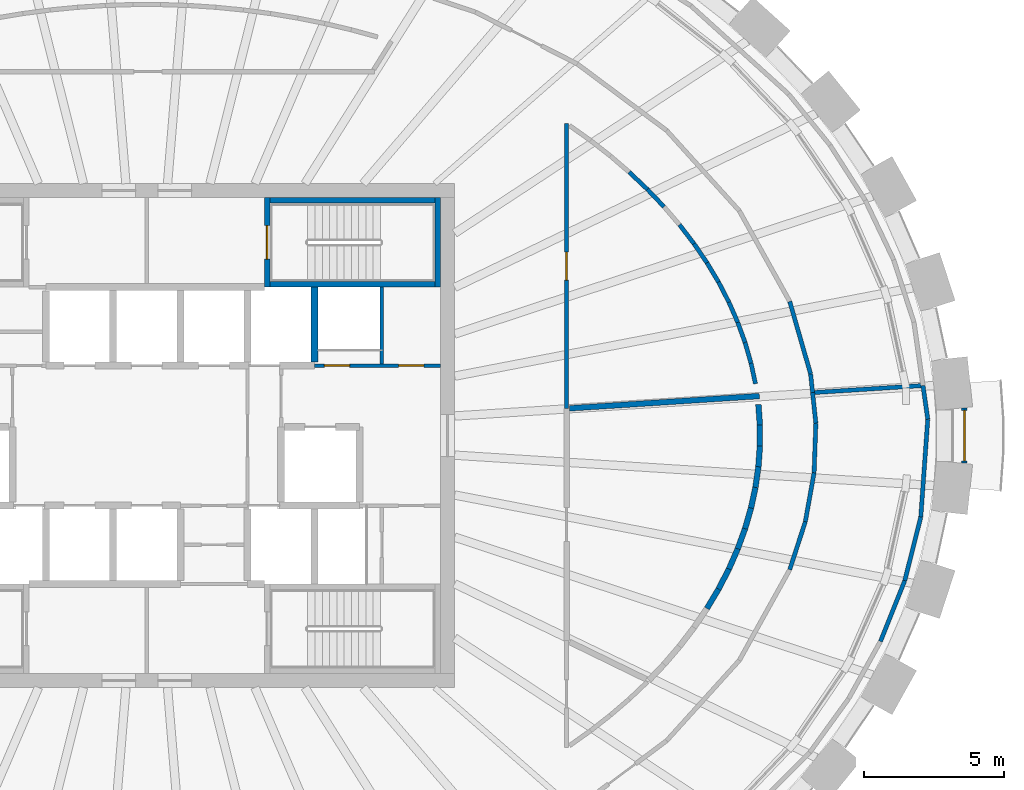
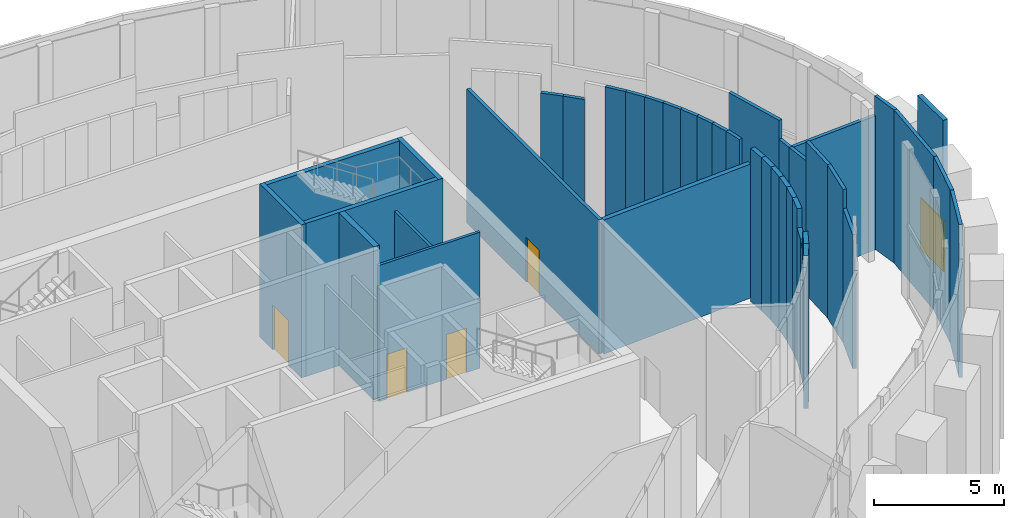
# One storey, part 12 of 16: 41 walls, 5 doors, 5 openings.
"""IFC4 building model written with IfcOpenShell, lengths in metres."""

import ifcopenshell
import ifcopenshell.guid

model = None  # the IFC model being written
_history = None  # IfcOwnerHistory: only IFC2X3 demands one
_inside = {}  # id of a spatial element -> (the spatial element, [elements in it])
_under = {}  # id of a project, library or spatial element -> (it, [spatial elements below it])
_declared = {}  # id of a project -> (the project, [libraries it declares])
_typed = {}  # id of a type object -> (the type object, [elements of that type])
_made_of = {}  # id of a material, layer set ... -> (it, [elements and type objects made of it])


def new_model(schema):
    """Start an empty IFC model of exactly this schema.

    Asked for "IFC4X3", IfcOpenShell would pick the latest addendum, in which some entities
    have other attributes; the version numbers below select the first issue.
    IFC2X3 requires an IfcOwnerHistory on every rooted entity: one is made here for all.
    """
    global model, _history
    if schema == "IFC4X3":
        model = ifcopenshell.file(schema_version=(4, 3, 0, 0))
    else:
        model = ifcopenshell.file(schema=schema)
    _inside.clear()
    _under.clear()
    _declared.clear()
    _typed.clear()
    _made_of.clear()
    _history = None
    if model.schema == "IFC2X3":
        org = make("IfcOrganization", Name="unknown")
        user = make(
            "IfcPersonAndOrganization",
            ThePerson=make("IfcPerson", FamilyName="unknown"),
            TheOrganization=org,
        )
        app = make(
            "IfcApplication",
            ApplicationDeveloper=org,
            Version="unknown",
            ApplicationFullName="unknown",
            ApplicationIdentifier="unknown",
        )
        _history = make(
            "IfcOwnerHistory",
            OwningUser=user,
            OwningApplication=app,
            ChangeAction="ADDED",
            CreationDate=0,
        )
    return model


def make(cls, **values):
    """One entity of the class cls with the attributes given. An attribute that is None is left unset."""
    return model.create_entity(
        cls, **{name: value for name, value in values.items() if value is not None}
    )


def rooted(cls, **values):
    """An entity with a GlobalId (a new one), such as an element, a storey or a relation."""
    return make(cls, GlobalId=ifcopenshell.guid.new(), OwnerHistory=_history, **values)


def si_unit(unit_type, name, prefix=None):
    """IfcSIUnit, for example si_unit("LENGTHUNIT", "METRE", prefix="MILLI")."""
    return make("IfcSIUnit", UnitType=unit_type, Prefix=prefix, Name=name)


def assignment(units):
    """IfcUnitAssignment: the units of a project."""
    return None if units is None else make("IfcUnitAssignment", Units=units)


def point(xyz):
    """IfcCartesianPoint."""
    return None if xyz is None else make("IfcCartesianPoint", Coordinates=xyz)


def direction(xyz):
    """IfcDirection."""
    return None if xyz is None else make("IfcDirection", DirectionRatios=xyz)


def frame(location, z_axis=None, x_axis=None):
    """IfcAxis2Placement3D, a coordinate frame: its origin and axes. An axis left out is left unset."""
    return make(
        "IfcAxis2Placement3D",
        Location=point(location),
        Axis=direction(z_axis),
        RefDirection=direction(x_axis),
    )


def frame_2d(location, x_axis=None):
    """IfcAxis2Placement2D, a coordinate frame in the plane: its origin and x axis."""
    return make(
        "IfcAxis2Placement2D", Location=point(location), RefDirection=direction(x_axis)
    )


def origin():
    """The frame at (0, 0, 0) with its axes left unset."""
    return frame((0.0, 0.0, 0.0))


def place(relative_to, where):
    """IfcLocalPlacement: puts the frame where relative to a parent placement (None: the world)."""
    return make(
        "IfcLocalPlacement", PlacementRelTo=relative_to, RelativePlacement=where
    )


def context(
    kind, dimensions, precision=None, world=None, true_north=None, identifier=None
):
    """IfcGeometricRepresentationContext, for example the 3D "Model" context."""
    return make(
        "IfcGeometricRepresentationContext",
        ContextIdentifier=identifier,
        ContextType=kind,
        CoordinateSpaceDimension=dimensions,
        Precision=precision,
        WorldCoordinateSystem=world,
        TrueNorth=true_north,
    )


def subcontext(parent, identifier, kind, view, scale=None):
    """IfcGeometricRepresentationSubContext, for example "Body" below "Model"."""
    return make(
        "IfcGeometricRepresentationSubContext",
        ContextIdentifier=identifier,
        ContextType=kind,
        ParentContext=parent,
        TargetScale=scale,
        TargetView=view,
    )


def project(units=None, contexts=None):
    """IfcProject with its units and contexts."""
    return rooted(
        "IfcProject",
        Name="project",
        RepresentationContexts=contexts,
        UnitsInContext=assignment(units),
    )


def spatial(cls, under=None, at=None, **own):
    """A site, building, storey or space (cls), placed at a placement, below another one or the project."""
    s = rooted(cls, ObjectPlacement=at, **own)
    if under is not None:
        _under.setdefault(under.id(), (under, []))[1].append(s)
    return s


def profile(cls, at=None, kind="AREA", **sizes):
    """A parametric profile (cls). Its sizes go by their IFC names, for example OverallWidth=200.0."""
    return make(cls, ProfileType=kind, Position=at, **sizes)


def rectangle(**sizes):
    """IfcRectangleProfileDef."""
    return profile("IfcRectangleProfileDef", **sizes)


def extrude(swept, where, along, depth):
    """IfcExtrudedAreaSolid: the profile swept, set in the frame where, extruded along a direction by depth."""
    return make(
        "IfcExtrudedAreaSolid",
        SweptArea=swept,
        Position=where,
        ExtrudedDirection=direction(along),
        Depth=depth,
    )


def shape(context_of_items, identifier, shape_type, items):
    """IfcShapeRepresentation: the items that make up one representation, for example the "Body"."""
    return make(
        "IfcShapeRepresentation",
        ContextOfItems=context_of_items,
        RepresentationIdentifier=identifier,
        RepresentationType=shape_type,
        Items=items,
    )


def source(mapping_origin, context_of_items, identifier, shape_type, items):
    """IfcRepresentationMap: a shape defined once, which mapped items show again and again."""
    return make(
        "IfcRepresentationMap",
        MappingOrigin=mapping_origin,
        MappedRepresentation=shape(context_of_items, identifier, shape_type, items),
    )


def transform(
    local_origin,
    x_axis=None,
    y_axis=None,
    z_axis=None,
    scale=None,
    scale2=None,
    scale3=None,
    uniform=True,
):
    """IfcCartesianTransformationOperator3D, or its non-uniform kind. x_axis, y_axis, z_axis: its Axis1, 2, 3."""
    if uniform:
        return make(
            "IfcCartesianTransformationOperator3D",
            Axis1=direction(x_axis),
            Axis2=direction(y_axis),
            LocalOrigin=point(local_origin),
            Scale=scale,
            Axis3=direction(z_axis),
        )
    return make(
        "IfcCartesianTransformationOperator3DnonUniform",
        Axis1=direction(x_axis),
        Axis2=direction(y_axis),
        LocalOrigin=point(local_origin),
        Scale=scale,
        Axis3=direction(z_axis),
        Scale2=scale2,
        Scale3=scale3,
    )


def mapped(mapping_source, mapping_target):
    """IfcMappedItem: shows the shape of a source again, moved by a transform."""
    return make(
        "IfcMappedItem", MappingSource=mapping_source, MappingTarget=mapping_target
    )


def material(Name=None, Category=None):
    """IfcMaterial."""
    return make("IfcMaterial", Name=Name, Category=Category)


def layer(
    of_material, thickness, ventilated=None, Name=None, Category=None, Priority=None
):
    """IfcMaterialLayer: one layer of a wall or slab, of a material (None: an air gap)."""
    return make(
        "IfcMaterialLayer",
        Material=of_material,
        LayerThickness=thickness,
        IsVentilated=ventilated,
        Name=Name,
        Category=Category,
        Priority=Priority,
    )


def layer_set(layers, Name=None):
    """IfcMaterialLayerSet."""
    return make("IfcMaterialLayerSet", MaterialLayers=layers, LayerSetName=Name)


def made_of(thing, what):
    """Note that an element or type object is made of a material, layer set ...; save() writes the relation."""
    if what is not None:
        _made_of.setdefault(what.id(), (what, []))[1].append(thing)
    return thing


def type_object(cls, material=None, **own):
    """A type object (cls), such as IfcWallType, which elements share."""
    return made_of(rooted(cls, **own), material)


def element(
    cls,
    number,
    at=None,
    inside=None,
    cuts=None,
    type_object=None,
    material=None,
    context=None,
    identifier="Body",
    shape_type=None,
    held_by="IfcProductDefinitionShape",
    body=None,
    shapes=None,
    **own,
):
    """One element of the class cls, such as IfcWall. Its Tag is "e" and its number.

    at: its placement. inside: the storey or other place that contains it. cuts: it is an
    opening in that element (IfcRelVoidsElement). A single representation is given by context,
    identifier, shape_type and body (its items); several are given by shapes. held_by: the class
    of the entity that holds the representations. save() writes the other relations.
    """
    e = rooted(cls, Tag="e%d" % number, ObjectPlacement=at, **own)
    if body is not None:
        shapes = [shape(context, identifier, shape_type, body)]
    if shapes is not None:
        e.Representation = make(held_by, Representations=shapes)
    if inside is not None:
        _inside.setdefault(inside.id(), (inside, []))[1].append(e)
    if cuts is not None:
        rooted(
            "IfcRelVoidsElement", RelatingBuildingElement=cuts, RelatedOpeningElement=e
        )
    if type_object is not None:
        _typed.setdefault(type_object.id(), (type_object, []))[1].append(e)
    return made_of(e, material)


def fill(opening, filler):
    """IfcRelFillsElement: the door or window that sits in an opening."""
    return rooted(
        "IfcRelFillsElement",
        RelatingOpeningElement=opening,
        RelatedBuildingElement=filler,
    )


def aggregate(whole, parts):
    """IfcRelAggregates: a whole, such as a stair, and the parts it consists of."""
    return rooted("IfcRelAggregates", RelatingObject=whole, RelatedObjects=parts)


def save(model, path):
    """Write the relations noted so far, then the file.

    IfcRelAggregates (storeys below a building ...), IfcRelContainedInSpatialStructure (elements
    in a storey), IfcRelDefinesByType, IfcRelAssociatesMaterial and IfcRelDeclares: one each for
    every whole, place, type object, material and project.
    """
    for whole, parts in _under.values():
        aggregate(whole, parts)
    for where, things in _inside.values():
        rooted(
            "IfcRelContainedInSpatialStructure",
            RelatedElements=things,
            RelatingStructure=where,
        )
    for kind, things in _typed.values():
        rooted("IfcRelDefinesByType", RelatedObjects=things, RelatingType=kind)
    for what, things in _made_of.values():
        rooted("IfcRelAssociatesMaterial", RelatedObjects=things, RelatingMaterial=what)
    for by, libraries in _declared.values():
        rooted("IfcRelDeclares", RelatingContext=by, RelatedDefinitions=libraries)
    model.write(path)


model = new_model("IFC4")

# Units and contexts
model_context = context("Model", 3, precision=1e-05, world=origin(), true_north=direction((0.0, 1.0)))
body_context = subcontext(model_context, "Body", "Model", "MODEL_VIEW")
ifc_project = project(units=[si_unit("LENGTHUNIT", "METRE"), si_unit("AREAUNIT", "SQUARE_METRE"), si_unit("VOLUMEUNIT", "CUBIC_METRE"), si_unit("PLANEANGLEUNIT", "RADIAN"), si_unit("MASSUNIT", "GRAM", prefix="KILO")], contexts=[model_context])

# Site, building, storey
site_placement = place(None, origin())
site = spatial("IfcSite", under=ifc_project, at=site_placement, CompositionType="ELEMENT")
building_placement = place(site_placement, origin())
building = spatial("IfcBuilding", under=site, at=building_placement, Name="Embergate Tower", CompositionType="ELEMENT")
storey_placement = place(building_placement, frame((0.0, 0.0, 332.5)))
storey = spatial("IfcBuildingStorey", under=building, at=storey_placement, Name="L78", CompositionType="ELEMENT", Elevation=332.5)

# Walls
ifc_material_1 = material(Name="Concrete C50", Category="concrete")
ifc_layer_1 = layer(ifc_material_1, 0.199951171875)
ifc_layer_set_1 = layer_set([ifc_layer_1], Name="Concrete C50")
wall_type_1 = type_object("IfcWallType", Name="Stair enclosure wall reinforced concrete 250", PredefinedType="SHEAR", material=ifc_layer_set_1)
shared_shape_1 = source(origin(), body_context, "Body", "SweptSolid", [
    extrude(rectangle(XDim=6.298095703125, YDim=0.199951171875, at=frame_2d((3.14892578125, 0.0))), origin(), (0.0, 0.0, 1.0), 7.199951171875),
])
wall_1_placement = place(storey_placement, frame((10.5, 8.39990234375, 0.0), z_axis=(0.0, 0.0, 1.0), x_axis=(-1.0, 0.0, 0.0)))
element("IfcWall", 1, at=wall_1_placement, inside=storey, type_object=wall_type_1, Name="SE-1 wall", PredefinedType="SHEAR", context=body_context, shape_type="MappedRepresentation", body=[
    mapped(shared_shape_1, transform((0.0, 0.0, 0.0))),
])
ifc_material_2 = material(Name="Core partition blockwork 120")
ifc_layer_2 = layer(ifc_material_2, 0.1201171875)
ifc_layer_set_2 = layer_set([ifc_layer_2], Name="Core partition blockwork 120")
wall_type_2 = type_object("IfcWallType", Name="Core partition blockwork 120", PredefinedType="PARTITIONING", material=ifc_layer_set_2)
shared_shape_2 = source(origin(), body_context, "Body", "SweptSolid", [
    extrude(rectangle(XDim=2.739990234375, YDim=0.1201171875, at=frame_2d((1.3701171875, 0.0))), origin(), (0.0, 0.0, 1.0), 6.39990234375),
])
wall_2_placement = place(storey_placement, frame((8.39990234375, 2.56005859375, 0.0), z_axis=(0.0, 0.0, 1.0), x_axis=(0.0, 1.0, 0.0)))
element("IfcWall", 2, at=wall_2_placement, inside=storey, type_object=wall_type_2, Name="IP-3 wall", PredefinedType="PARTITIONING", context=body_context, shape_type="MappedRepresentation", body=[
    mapped(shared_shape_2, transform((0.0, 0.0, 0.0))),
])
ifc_layer_3 = layer(ifc_material_1, 0.25)
ifc_layer_set_3 = layer_set([ifc_layer_3], Name="Concrete C50")
wall_type_3 = type_object("IfcWallType", Name="Hoistway wall reinforced concrete 250", PredefinedType="SHEAR", material=ifc_layer_set_3)
shared_shape_3 = source(origin(), body_context, "Body", "SweptSolid", [
    extrude(rectangle(XDim=2.675048828125, YDim=0.25, at=frame_2d((1.33740234375, 0.0))), origin(), (0.0, 0.0, 1.0), 7.199951171875),
])
wall_3_placement = place(storey_placement, frame((6.0, 2.625, 0.0), z_axis=(0.0, 0.0, 1.0), x_axis=(0.0, 1.0, 0.0)))
element("IfcWall", 3, at=wall_3_placement, inside=storey, type_object=wall_type_3, Name="HW-1 wall", PredefinedType="SHEAR", context=body_context, shape_type="MappedRepresentation", body=[
    mapped(shared_shape_3, transform((0.0, 0.0, 0.0))),
])
shared_shape_4 = source(origin(), body_context, "Body", "SweptSolid", [
    extrude(rectangle(XDim=6.300048828125, YDim=0.199951171875, at=frame_2d((3.14990234375, 0.0))), origin(), (0.0, 0.0, 1.0), 7.199951171875),
])
wall_4_placement = place(storey_placement, frame((10.5, 5.39990234375, 0.0), z_axis=(0.0, 0.0, 1.0), x_axis=(-1.0, 0.0, 0.0)))
element("IfcWall", 4, at=wall_4_placement, inside=storey, type_object=wall_type_1, Name="SE-1 wall", PredefinedType="SHEAR", context=body_context, shape_type="MappedRepresentation", body=[
    mapped(shared_shape_4, transform((0.0, 0.0, 0.0))),
])

# Wall, openings, doors
shared_shape_5 = source(origin(), body_context, "Body", "SweptSolid", [
    extrude(rectangle(XDim=4.5, YDim=0.1201171875, at=frame_2d((2.25, 0.0))), origin(), (0.0, 0.0, 1.0), 6.39990234375),
])
wall_5_placement = place(storey_placement, frame((6.0, 2.5, 0.0), z_axis=(0.0, 0.0, 1.0), x_axis=(1.0, 0.0, 0.0)))
wall_5 = element("IfcWall", 5, at=wall_5_placement, inside=storey, type_object=wall_type_2, Name="IP-3 wall", PredefinedType="PARTITIONING", context=body_context, shape_type="MappedRepresentation", body=[
    mapped(shared_shape_5, transform((0.0, 0.0, 0.0))),
])
shared_shape_6 = source(origin(), body_context, "Body", "SweptSolid", [
    extrude(rectangle(XDim=0.89990234375, YDim=2.10009765625, at=frame_2d((0.449951171875, 1.050048828125))), frame((0.0, 0.070068359375, 0.0), z_axis=(0.0, -1.0, 0.0), x_axis=(1.0, 0.0, 0.0)), (0.0, 0.0, 1.0), 0.14013671875),
])
opening_1_placement = place(wall_5_placement, frame((0.35009765625, 0.0, 0.0)))
opening_1 = element("IfcOpeningElement", 6, at=opening_1_placement, cuts=wall_5, Name="Opening ID-1", PredefinedType="OPENING", context=body_context, shape_type="MappedRepresentation", body=[
    mapped(shared_shape_6, transform((0.0, 0.0, 0.0))),
])
opening_2_placement = place(wall_5_placement, frame((3.0, 0.0, 0.0)))
opening_2 = element("IfcOpeningElement", 7, at=opening_2_placement, cuts=wall_5, Name="Opening ID-1", PredefinedType="OPENING", context=body_context, shape_type="MappedRepresentation", body=[
    mapped(shared_shape_6, transform((0.0, 0.0, 0.0))),
])
ifc_material_3 = material(Name="Interior door 900")
door_type_1 = type_object("IfcDoorType", Name="Interior door 900", OperationType="SINGLE_SWING_LEFT", PredefinedType="DOOR", material=ifc_material_3)
shared_shape_7 = source(origin(), body_context, "Body", "SweptSolid", [
    extrude(rectangle(XDim=0.89990234375, YDim=2.10009765625, at=frame_2d((0.449951171875, 1.050048828125))), frame((0.0, 0.02490234375, 0.0), z_axis=(0.0, -1.0, 0.0), x_axis=(1.0, 0.0, 0.0)), (0.0, 0.0, 1.0), 0.050048828125),
])
door_1_placement = place(opening_1_placement, origin())
door_1 = element("IfcDoor", 8, at=door_1_placement, inside=storey, type_object=door_type_1, Name="ID-1 door", OperationType="SINGLE_SWING_LEFT", OverallHeight=2.10009765625, OverallWidth=0.89990234375, PredefinedType="DOOR", context=body_context, shape_type="MappedRepresentation", body=[
    mapped(shared_shape_7, transform((0.0, 0.0, 0.0))),
])
fill(opening_1, door_1)
door_2_placement = place(opening_2_placement, origin())
door_2 = element("IfcDoor", 9, at=door_2_placement, inside=storey, type_object=door_type_1, Name="ID-1 door", OperationType="SINGLE_SWING_RIGHT", OverallHeight=2.10009765625, OverallWidth=0.89990234375, PredefinedType="DOOR", context=body_context, shape_type="MappedRepresentation", body=[
    mapped(shared_shape_7, transform((0.0, 0.0, 0.0))),
])
fill(opening_2, door_2)

# Wall, opening, door
shared_shape_8 = source(origin(), body_context, "Body", "SweptSolid", [
    extrude(rectangle(XDim=3.199951171875, YDim=0.199951171875, at=frame_2d((1.60009765625, 0.0))), origin(), (0.0, 0.0, 1.0), 7.199951171875),
])
wall_6_placement = place(storey_placement, frame((4.300048828125, 8.5, 0.0), z_axis=(0.0, 0.0, 1.0), x_axis=(0.0, -1.0, 0.0)))
wall_6 = element("IfcWall", 10, at=wall_6_placement, inside=storey, type_object=wall_type_1, Name="SE-1 wall", PredefinedType="SHEAR", context=body_context, shape_type="MappedRepresentation", body=[
    mapped(shared_shape_8, transform((0.0, 0.0, 0.0))),
])
shared_shape_9 = source(origin(), body_context, "Body", "SweptSolid", [
    extrude(rectangle(XDim=1.199951171875, YDim=2.10009765625, at=frame_2d((0.60009765625, 1.050048828125))), frame((0.0, 0.10986328125, 0.0), z_axis=(0.0, -1.0, 0.0), x_axis=(1.0, 0.0, 0.0)), (0.0, 0.0, 1.0), 0.219970703125),
])
opening_3_placement = place(wall_6_placement, frame((1.0, 0.0, 0.0)))
opening_3 = element("IfcOpeningElement", 11, at=opening_3_placement, cuts=wall_6, Name="Opening IF-2", PredefinedType="OPENING", context=body_context, shape_type="MappedRepresentation", body=[
    mapped(shared_shape_9, transform((0.0, 0.0, 0.0))),
])
ifc_material_4 = material(Name="Stair enclosure door 1200")
door_type_2 = type_object("IfcDoorType", Name="Stair enclosure door 1200", OperationType="SINGLE_SWING_LEFT", PredefinedType="DOOR", material=ifc_material_4)
shared_shape_10 = source(origin(), body_context, "Body", "SweptSolid", [
    extrude(rectangle(XDim=1.199951171875, YDim=2.10009765625, at=frame_2d((0.60009765625, 1.050048828125))), frame((0.0, 0.02490234375, 0.0), z_axis=(0.0, -1.0, 0.0), x_axis=(1.0, 0.0, 0.0)), (0.0, 0.0, 1.0), 0.050048828125),
])
door_3_placement = place(opening_3_placement, origin())
door_3 = element("IfcDoor", 12, at=door_3_placement, inside=storey, type_object=door_type_2, Name="IF-2 door", OperationType="SINGLE_SWING_LEFT", OverallHeight=2.10009765625, OverallWidth=1.199951171875, PredefinedType="DOOR", context=body_context, shape_type="MappedRepresentation", body=[
    mapped(shared_shape_10, transform((0.0, 0.0, 0.0))),
])
fill(opening_3, door_3)

# Walls
shared_shape_11 = source(origin(), body_context, "Body", "SweptSolid", [
    extrude(rectangle(XDim=3.197998046875, YDim=0.199951171875, at=frame_2d((1.59912109375, 0.0))), origin(), (0.0, 0.0, 1.0), 7.199951171875),
])
wall_7_placement = place(storey_placement, frame((10.39990234375, 5.302001953125, 0.0), z_axis=(0.0, 0.0, 1.0), x_axis=(0.0, 1.0, 0.0)))
element("IfcWall", 13, at=wall_7_placement, inside=storey, type_object=wall_type_1, Name="SE-1 wall", PredefinedType="SHEAR", context=body_context, shape_type="MappedRepresentation", body=[
    mapped(shared_shape_11, transform((0.0, 0.0, 0.0))),
])
ifc_material_5 = material(Name="Plasterboard on steel stud", Category="steel")
ifc_layer_4 = layer(ifc_material_5, 0.14990234375)
ifc_layer_set_4 = layer_set([ifc_layer_4], Name="Plasterboard on steel stud")
wall_type_4 = type_object("IfcWallType", Name="Partition wall 150 board", PredefinedType="PARTITIONING", material=ifc_layer_set_4)
shared_shape_12 = source(origin(), body_context, "Body", "SweptSolid", [
    extrude(rectangle(XDim=3.500732421875, YDim=0.14990234375, at=frame_2d((1.75048828125, 0.0))), origin(), (0.0, 0.0, 1.0), 7.199951171875),
])
wall_8_placement = place(storey_placement, frame((27.89990234375, 0.5849609375, 0.0), z_axis=(0.0, 0.0, 1.0), x_axis=(-0.07113306104, -0.997466835352, 0.0)))
element("IfcWall", 14, at=wall_8_placement, inside=storey, type_object=wall_type_4, Name="Partition 215", PredefinedType="PARTITIONING", context=body_context, shape_type="MappedRepresentation", body=[
    mapped(shared_shape_12, transform((0.0, 0.0, 0.0))),
])
shared_shape_13 = source(origin(), body_context, "Body", "SweptSolid", [
    extrude(rectangle(XDim=1.21533203125, YDim=0.14990234375, at=frame_2d((0.607666015625, 0.0))), origin(), (0.0, 0.0, 1.0), 7.199951171875),
])
wall_9_placement = place(storey_placement, frame((27.72802734375, 1.7880859375, 0.0), z_axis=(0.0, 0.0, 1.0), x_axis=(0.141421356237, -0.989949493661, 0.0)))
element("IfcWall", 15, at=wall_9_placement, inside=storey, type_object=wall_type_4, Name="Partition 214", PredefinedType="PARTITIONING", context=body_context, shape_type="MappedRepresentation", body=[
    mapped(shared_shape_13, transform((0.0, 0.0, 0.0))),
])
shared_shape_14 = source(origin(), body_context, "Body", "SweptSolid", [
    extrude(rectangle(XDim=2.34912109375, YDim=0.14990234375, at=frame_2d((1.174560546875, 0.0))), origin(), (0.0, 0.0, 1.0), 7.199951171875),
])
wall_10_placement = place(storey_placement, frame((27.65087890625, -2.906982421875, 0.0), z_axis=(0.0, 0.0, 1.0), x_axis=(-0.243929291286, -0.969793019594, 0.0)))
element("IfcWall", 16, at=wall_10_placement, inside=storey, type_object=wall_type_4, Name="Partition 212", PredefinedType="PARTITIONING", context=body_context, shape_type="MappedRepresentation", body=[
    mapped(shared_shape_14, transform((0.0, 0.0, 0.0))),
])
shared_shape_15 = source(origin(), body_context, "Body", "SweptSolid", [
    extrude(rectangle(XDim=2.33349609375, YDim=0.14990234375, at=frame_2d((1.166748046875, 0.0))), origin(), (0.0, 0.0, 1.0), 7.199951171875),
])
wall_11_placement = place(storey_placement, frame((27.077880859375, -5.18505859375, 0.0), z_axis=(0.0, 0.0, 1.0), x_axis=(-0.371949823529, -0.928252836665, 0.0)))
element("IfcWall", 17, at=wall_11_placement, inside=storey, type_object=wall_type_4, Name="Partition 210", PredefinedType="PARTITIONING", context=body_context, shape_type="MappedRepresentation", body=[
    mapped(shared_shape_15, transform((0.0, 0.0, 0.0))),
])
shared_shape_16 = source(origin(), body_context, "Body", "SweptSolid", [
    extrude(rectangle(XDim=0.75390625, YDim=0.14990234375, at=frame_2d((0.376953125, 0.0))), origin(), (0.0, 0.0, 1.0), 7.199951171875),
])
wall_12_placement = place(storey_placement, frame((21.7451171875, 1.85009765625, 0.0), z_axis=(0.0, 0.0, 1.0), x_axis=(-0.211165541414, 0.977450312865, 0.0)))
element("IfcWall", 18, at=wall_12_placement, inside=storey, type_object=wall_type_4, Name="Partition 191", PredefinedType="PARTITIONING", context=body_context, shape_type="MappedRepresentation", body=[
    mapped(shared_shape_16, transform((0.0, 0.0, 0.0))),
])
shared_shape_17 = source(origin(), body_context, "Body", "SweptSolid", [
    extrude(rectangle(XDim=0.76904296875, YDim=0.14990234375, at=frame_2d((0.384521484375, 0.0))), origin(), (0.0, 0.0, 1.0), 7.199951171875),
])
wall_13_placement = place(storey_placement, frame((21.5859375, 2.5869140625, 0.0), z_axis=(0.0, 0.0, 1.0), x_axis=(-0.276816846253, 0.960922699092, 0.0)))
element("IfcWall", 19, at=wall_13_placement, inside=storey, type_object=wall_type_4, Name="Partition 189", PredefinedType="PARTITIONING", context=body_context, shape_type="MappedRepresentation", body=[
    mapped(shared_shape_17, transform((0.0, 0.0, 0.0))),
])
shared_shape_18 = source(origin(), body_context, "Body", "SweptSolid", [
    extrude(rectangle(XDim=0.76611328125, YDim=0.14990234375, at=frame_2d((0.383056640625, 0.0))), origin(), (0.0, 0.0, 1.0), 7.199951171875),
])
wall_14_placement = place(storey_placement, frame((21.373046875, 3.325927734375, 0.0), z_axis=(0.0, 0.0, 1.0), x_axis=(-0.341922157745, 0.939728278835, 0.0)))
element("IfcWall", 20, at=wall_14_placement, inside=storey, type_object=wall_type_4, Name="Partition 187", PredefinedType="PARTITIONING", context=body_context, shape_type="MappedRepresentation", body=[
    mapped(shared_shape_18, transform((0.0, 0.0, 0.0))),
])
shared_shape_19 = source(origin(), body_context, "Body", "SweptSolid", [
    extrude(rectangle(XDim=0.807861328125, YDim=0.14990234375, at=frame_2d((0.40380859375, 0.0))), origin(), (0.0, 0.0, 1.0), 7.199951171875),
])
wall_15_placement = place(storey_placement, frame((20.7958984375, 4.76611328125, 0.0), z_axis=(0.0, 0.0, 1.0), x_axis=(-0.459020051876, 0.888425906857, 0.0)))
element("IfcWall", 21, at=wall_15_placement, inside=storey, type_object=wall_type_4, Name="Partition 181", PredefinedType="PARTITIONING", context=body_context, shape_type="MappedRepresentation", body=[
    mapped(shared_shape_19, transform((0.0, 0.0, 0.0))),
])
shared_shape_20 = source(origin(), body_context, "Body", "SweptSolid", [
    extrude(rectangle(XDim=0.7861328125, YDim=0.14990234375, at=frame_2d((0.39306640625, 0.0))), origin(), (0.0, 0.0, 1.0), 7.199951171875),
])
wall_16_placement = place(storey_placement, frame((21.111083984375, 4.0458984375, 0.0), z_axis=(0.0, 0.0, 1.0), x_axis=(-0.400916577777, 0.916114565796, 0.0)))
element("IfcWall", 22, at=wall_16_placement, inside=storey, type_object=wall_type_4, Name="Partition 183", PredefinedType="PARTITIONING", context=body_context, shape_type="MappedRepresentation", body=[
    mapped(shared_shape_20, transform((0.0, 0.0, 0.0))),
])
shared_shape_21 = source(origin(), body_context, "Body", "SweptSolid", [
    extrude(rectangle(XDim=0.802978515625, YDim=0.14990234375, at=frame_2d((0.4013671875, 0.0))), origin(), (0.0, 0.0, 1.0), 7.199951171875),
])
wall_17_placement = place(storey_placement, frame((20.425048828125, 5.48388671875, 0.0), z_axis=(0.0, 0.0, 1.0), x_axis=(-0.513198578999, 0.858269898408, 0.0)))
element("IfcWall", 23, at=wall_17_placement, inside=storey, type_object=wall_type_4, Name="Partition 179", PredefinedType="PARTITIONING", context=body_context, shape_type="MappedRepresentation", body=[
    mapped(shared_shape_21, transform((0.0, 0.0, 0.0))),
])
shared_shape_22 = source(origin(), body_context, "Body", "SweptSolid", [
    extrude(rectangle(XDim=0.851806640625, YDim=0.14990234375, at=frame_2d((0.42578125, 0.0))), origin(), (0.0, 0.0, 1.0), 7.199951171875),
])
wall_18_placement = place(storey_placement, frame((19.548095703125, 6.85595703125, 0.0), z_axis=(0.0, 0.0, 1.0), x_axis=(-0.608269049701, 0.793730913582, 0.0)))
element("IfcWall", 24, at=wall_18_placement, inside=storey, type_object=wall_type_4, Name="Partition 174", PredefinedType="PARTITIONING", context=body_context, shape_type="MappedRepresentation", body=[
    mapped(shared_shape_22, transform((0.0, 0.0, 0.0))),
])
shared_shape_23 = source(origin(), body_context, "Body", "SweptSolid", [
    extrude(rectangle(XDim=0.826171875, YDim=0.14990234375, at=frame_2d((0.4130859375, 0.0))), origin(), (0.0, 0.0, 1.0), 7.199951171875),
])
wall_19_placement = place(storey_placement, frame((20.012939453125, 6.173095703125, 0.0), z_axis=(0.0, 0.0, 1.0), x_axis=(-0.562722230429, 0.826646049637, 0.0)))
element("IfcWall", 25, at=wall_19_placement, inside=storey, type_object=wall_type_4, Name="Partition 176", PredefinedType="PARTITIONING", context=body_context, shape_type="MappedRepresentation", body=[
    mapped(shared_shape_23, transform((0.0, 0.0, 0.0))),
])
shared_shape_24 = source(origin(), body_context, "Body", "SweptSolid", [
    extrude(rectangle(XDim=0.866455078125, YDim=0.14990234375, at=frame_2d((0.43310546875, 0.0))), origin(), (0.0, 0.0, 1.0), 6.39990234375),
])
wall_20_placement = place(storey_placement, frame((18.47998046875, 8.172119140625, 0.0), z_axis=(0.0, 0.0, 1.0), x_axis=(-0.690140553071, 0.723675353323, 0.0)))
element("IfcWall", 26, at=wall_20_placement, inside=storey, type_object=wall_type_4, Name="Partition 167", PredefinedType="PARTITIONING", context=body_context, shape_type="MappedRepresentation", body=[
    mapped(shared_shape_24, transform((0.0, 0.0, 0.0))),
])
shared_shape_25 = source(origin(), body_context, "Body", "SweptSolid", [
    extrude(rectangle(XDim=0.89208984375, YDim=0.14990234375, at=frame_2d((0.446044921875, 0.0))), origin(), (0.0, 0.0, 1.0), 6.39990234375),
])
wall_21_placement = place(storey_placement, frame((17.882080078125, 8.799072265625, 0.0), z_axis=(0.0, 0.0, 1.0), x_axis=(-0.726534873891, 0.687129592595, 0.0)))
element("IfcWall", 27, at=wall_21_placement, inside=storey, type_object=wall_type_4, Name="Partition 164", PredefinedType="PARTITIONING", context=body_context, shape_type="MappedRepresentation", body=[
    mapped(shared_shape_25, transform((0.0, 0.0, 0.0))),
])

# Wall, opening, door
shared_shape_26 = source(origin(), body_context, "Body", "SweptSolid", [
    extrude(rectangle(XDim=10.174072265625, YDim=0.14990234375, at=frame_2d((5.0869140625, 0.0))), origin(), (0.0, 0.0, 1.0), 6.300048828125),
])
wall_22_placement = place(storey_placement, frame((15.0, 11.14111328125, 0.0), z_axis=(0.0, 0.0, 1.0), x_axis=(0.0, -1.0, 0.0)))
wall_22 = element("IfcWall", 28, at=wall_22_placement, inside=storey, type_object=wall_type_4, Name="Partition 153", PredefinedType="PARTITIONING", context=body_context, shape_type="MappedRepresentation", body=[
    mapped(shared_shape_26, transform((0.0, 0.0, 0.0))),
])
shared_shape_27 = source(origin(), body_context, "Body", "SweptSolid", [
    extrude(rectangle(XDim=1.0, YDim=2.10009765625, at=frame_2d((0.5, 1.050048828125))), frame((0.0, 0.0849609375, 0.0), z_axis=(0.0, -1.0, 0.0), x_axis=(1.0, 0.0, 0.0)), (0.0, 0.0, 1.0), 0.169921875),
])
opening_4_placement = place(wall_22_placement, frame((4.5869140625, 0.0, 0.0)))
opening_4 = element("IfcOpeningElement", 29, at=opening_4_placement, cuts=wall_22, Name="Opening DS-264", PredefinedType="OPENING", context=body_context, shape_type="MappedRepresentation", body=[
    mapped(shared_shape_27, transform((0.0, 0.0, 0.0))),
])
ifc_material_6 = material(Name="Timber door leaf, steel frame", Category="steel")
door_type_3 = type_object("IfcDoorType", Name="Single door 1000x2100", OperationType="SINGLE_SWING_LEFT", PredefinedType="DOOR", material=ifc_material_6)
shared_shape_28 = source(origin(), body_context, "Body", "SweptSolid", [
    extrude(rectangle(XDim=1.0, YDim=2.10009765625, at=frame_2d((0.5, 1.050048828125))), frame((0.0, 0.02490234375, 0.0), z_axis=(0.0, -1.0, 0.0), x_axis=(1.0, 0.0, 0.0)), (0.0, 0.0, 1.0), 0.050048828125),
])
door_4_placement = place(opening_4_placement, origin())
door_4 = element("IfcDoor", 30, at=door_4_placement, inside=storey, type_object=door_type_3, Name="Door to Staff room", OperationType="SINGLE_SWING_LEFT", OverallHeight=2.10009765625, OverallWidth=1.0, PredefinedType="DOOR", context=body_context, shape_type="MappedRepresentation", body=[
    mapped(shared_shape_28, transform((0.0, 0.0, 0.0))),
])
fill(opening_4, door_4)

# Walls
ifc_material_7 = material(Name="Blockwork, plastered", Category="masonry")
ifc_layer_5 = layer(ifc_material_7, 0.199951171875)
ifc_layer_set_5 = layer_set([ifc_layer_5], Name="Blockwork, plastered")
wall_type_5 = type_object("IfcWallType", Name="Fire partition wall 200 block", PredefinedType="PARTITIONING", material=ifc_layer_set_5)
shared_shape_29 = source(origin(), body_context, "Body", "SweptSolid", [
    extrude(rectangle(XDim=0.802978515625, YDim=0.199951171875, at=frame_2d((0.4013671875, 0.0))), origin(), (0.0, 0.0, 1.0), 7.199951171875),
])
wall_23_placement = place(storey_placement, frame((20.012939453125, -6.173095703125, 0.0), z_axis=(0.0, 0.0, 1.0), x_axis=(0.513198578999, 0.858269898408, 0.0)))
element("IfcWall", 31, at=wall_23_placement, inside=storey, type_object=wall_type_5, Name="Partition 175", PredefinedType="PARTITIONING", context=body_context, shape_type="MappedRepresentation", body=[
    mapped(shared_shape_29, transform((0.0, 0.0, 0.0))),
])
shared_shape_30 = source(origin(), body_context, "Body", "SweptSolid", [
    extrude(rectangle(XDim=0.807861328125, YDim=0.199951171875, at=frame_2d((0.40380859375, 0.0))), origin(), (0.0, 0.0, 1.0), 7.199951171875),
])
wall_24_placement = place(storey_placement, frame((20.425048828125, -5.48388671875, 0.0), z_axis=(0.0, 0.0, 1.0), x_axis=(0.459020051876, 0.888425906857, 0.0)))
element("IfcWall", 32, at=wall_24_placement, inside=storey, type_object=wall_type_5, Name="Partition 178", PredefinedType="PARTITIONING", context=body_context, shape_type="MappedRepresentation", body=[
    mapped(shared_shape_30, transform((0.0, 0.0, 0.0))),
])
shared_shape_31 = source(origin(), body_context, "Body", "SweptSolid", [
    extrude(rectangle(XDim=0.7861328125, YDim=0.199951171875, at=frame_2d((0.39306640625, 0.0))), origin(), (0.0, 0.0, 1.0), 6.300048828125),
])
wall_25_placement = place(storey_placement, frame((20.7958984375, -4.76611328125, 0.0), z_axis=(0.0, 0.0, 1.0), x_axis=(0.400916577777, 0.916114565796, 0.0)))
element("IfcWall", 33, at=wall_25_placement, inside=storey, type_object=wall_type_5, Name="Partition 180", PredefinedType="PARTITIONING", context=body_context, shape_type="MappedRepresentation", body=[
    mapped(shared_shape_31, transform((0.0, 0.0, 0.0))),
])
shared_shape_32 = source(origin(), body_context, "Body", "SweptSolid", [
    extrude(rectangle(XDim=0.76611328125, YDim=0.199951171875, at=frame_2d((0.383056640625, 0.0))), origin(), (0.0, 0.0, 1.0), 6.300048828125),
])
wall_26_placement = place(storey_placement, frame((21.111083984375, -4.0458984375, 0.0), z_axis=(0.0, 0.0, 1.0), x_axis=(0.341922157745, 0.939728278835, 0.0)))
element("IfcWall", 34, at=wall_26_placement, inside=storey, type_object=wall_type_5, Name="Partition 182", PredefinedType="PARTITIONING", context=body_context, shape_type="MappedRepresentation", body=[
    mapped(shared_shape_32, transform((0.0, 0.0, 0.0))),
])
shared_shape_33 = source(origin(), body_context, "Body", "SweptSolid", [
    extrude(rectangle(XDim=0.76904296875, YDim=0.199951171875, at=frame_2d((0.384521484375, 0.0))), origin(), (0.0, 0.0, 1.0), 7.199951171875),
])
wall_27_placement = place(storey_placement, frame((21.373046875, -3.325927734375, 0.0), z_axis=(0.0, 0.0, 1.0), x_axis=(0.276816846253, 0.960922699092, 0.0)))
element("IfcWall", 35, at=wall_27_placement, inside=storey, type_object=wall_type_5, Name="Partition 186", PredefinedType="PARTITIONING", context=body_context, shape_type="MappedRepresentation", body=[
    mapped(shared_shape_33, transform((0.0, 0.0, 0.0))),
])
shared_shape_34 = source(origin(), body_context, "Body", "SweptSolid", [
    extrude(rectangle(XDim=0.75390625, YDim=0.199951171875, at=frame_2d((0.376953125, 0.0))), origin(), (0.0, 0.0, 1.0), 7.199951171875),
])
wall_28_placement = place(storey_placement, frame((21.5859375, -2.5869140625, 0.0), z_axis=(0.0, 0.0, 1.0), x_axis=(0.211165541414, 0.977450312865, 0.0)))
element("IfcWall", 36, at=wall_28_placement, inside=storey, type_object=wall_type_5, Name="Partition 188", PredefinedType="PARTITIONING", context=body_context, shape_type="MappedRepresentation", body=[
    mapped(shared_shape_34, transform((0.0, 0.0, 0.0))),
])
shared_shape_35 = source(origin(), body_context, "Body", "SweptSolid", [
    extrude(rectangle(XDim=0.744384765625, YDim=0.199951171875, at=frame_2d((0.3720703125, 0.0))), origin(), (0.0, 0.0, 1.0), 7.199951171875),
])
wall_29_placement = place(storey_placement, frame((21.7451171875, -1.85009765625, 0.0), z_axis=(0.0, 0.0, 1.0), x_axis=(0.141008157226, 0.990008434103, 0.0)))
element("IfcWall", 37, at=wall_29_placement, inside=storey, type_object=wall_type_5, Name="Partition 190", PredefinedType="PARTITIONING", context=body_context, shape_type="MappedRepresentation", body=[
    mapped(shared_shape_35, transform((0.0, 0.0, 0.0))),
])
shared_shape_36 = source(origin(), body_context, "Body", "SweptSolid", [
    extrude(rectangle(XDim=6.797119140625, YDim=0.199951171875, at=frame_2d((3.3984375, 0.0))), origin(), (0.0, 0.0, 1.0), 6.300048828125),
])
wall_30_placement = place(storey_placement, frame((21.883056640625, 1.412109375, 0.0), z_axis=(0.0, 0.0, 1.0), x_axis=(-0.997910169859, -0.064616506338, 0.0)))
element("IfcWall", 38, at=wall_30_placement, inside=storey, type_object=wall_type_5, Name="Partition 192", PredefinedType="PARTITIONING", context=body_context, shape_type="MappedRepresentation", body=[
    mapped(shared_shape_36, transform((0.0, 0.0, 0.0))),
])
shared_shape_37 = source(origin(), body_context, "Body", "SweptSolid", [
    extrude(rectangle(XDim=0.743896484375, YDim=0.199951171875, at=frame_2d((0.3720703125, 0.0))), origin(), (0.0, 0.0, 1.0), 7.199951171875),
])
for number, where, z_axis, x_axis, name in (
    (39, (21.85009765625, -1.113037109375, 0.0), (0.0, 0.0, 1.0), (0.071223724694, 0.997460365649, 0.0), "Partition 193"),
    (40, (21.903076171875, 0.37109375, 0.0), (0.0, 0.0, 1.0), (-0.071223724694, 0.997460365649, 0.0), "Partition 195"),
):
    element("IfcWall", number, at=place(storey_placement, frame(where, z_axis=z_axis, x_axis=x_axis)), inside=storey, type_object=wall_type_5, Name=name, PredefinedType="PARTITIONING", context=body_context, shape_type="MappedRepresentation", body=[
        mapped(shared_shape_37, transform((0.0, 0.0, 0.0))),
    ])
shared_shape_38 = source(origin(), body_context, "Body", "SweptSolid", [
    extrude(rectangle(XDim=0.7421875, YDim=0.199951171875, at=frame_2d((0.37109375, 0.0))), origin(), (0.0, 0.0, 1.0), 7.199951171875),
])
wall_31_placement = place(storey_placement, frame((21.903076171875, -0.37109375, 0.0), z_axis=(0.0, 0.0, 1.0), x_axis=(0.0, 1.0, 0.0)))
element("IfcWall", 41, at=wall_31_placement, inside=storey, type_object=wall_type_5, Name="Partition 194", PredefinedType="PARTITIONING", context=body_context, shape_type="MappedRepresentation", body=[
    mapped(shared_shape_38, transform((0.0, 0.0, 0.0))),
])
shared_shape_39 = source(origin(), body_context, "Body", "SweptSolid", [
    extrude(rectangle(XDim=2.693603515625, YDim=0.14990234375, at=frame_2d((1.3466796875, 0.0))), origin(), (0.0, 0.0, 1.0), 7.199951171875),
])
wall_32_placement = place(storey_placement, frame((22.968017578125, 4.7900390625, 0.0), z_axis=(0.0, 0.0, 1.0), x_axis=(0.276994902488, -0.960871387853, 0.0)))
element("IfcWall", 42, at=wall_32_placement, inside=storey, type_object=wall_type_4, Name="Partition 198", PredefinedType="PARTITIONING", context=body_context, shape_type="MappedRepresentation", body=[
    mapped(shared_shape_39, transform((0.0, 0.0, 0.0))),
])
shared_shape_40 = source(origin(), body_context, "Body", "SweptSolid", [
    extrude(rectangle(XDim=1.802490234375, YDim=0.14990234375, at=frame_2d((0.9013671875, 0.0))), origin(), (0.0, 0.0, 1.0), 6.300048828125),
])
wall_33_placement = place(storey_placement, frame((23.52587890625, -3.075927734375, 0.0), z_axis=(0.0, 0.0, 1.0), x_axis=(-0.309474979871, -0.950907585854, 0.0)))
element("IfcWall", 43, at=wall_33_placement, inside=storey, type_object=wall_type_4, Name="Partition 199", PredefinedType="PARTITIONING", context=body_context, shape_type="MappedRepresentation", body=[
    mapped(shared_shape_40, transform((0.0, 0.0, 0.0))),
])
shared_shape_41 = source(origin(), body_context, "Body", "SweptSolid", [
    extrude(rectangle(XDim=0.671630859375, YDim=0.14990234375, at=frame_2d((0.3359375, 0.0))), origin(), (0.0, 0.0, 1.0), 6.300048828125),
])
wall_34_placement = place(storey_placement, frame((23.714111328125, 2.201904296875, 0.0), z_axis=(0.0, 0.0, 1.0), x_axis=(0.105403713051, -0.994429513477, 0.0)))
element("IfcWall", 44, at=wall_34_placement, inside=storey, type_object=wall_type_4, Name="Partition 201", PredefinedType="PARTITIONING", context=body_context, shape_type="MappedRepresentation", body=[
    mapped(shared_shape_41, transform((0.0, 0.0, 0.0))),
])
shared_shape_42 = source(origin(), body_context, "Body", "SweptSolid", [
    extrude(rectangle(XDim=1.098388671875, YDim=0.14990234375, at=frame_2d((0.54931640625, 0.0))), origin(), (0.0, 0.0, 1.0), 6.300048828125),
])
wall_35_placement = place(storey_placement, frame((23.784912109375, 1.533935546875, 0.0), z_axis=(0.0, 0.0, 1.0), x_axis=(0.106697945605, -0.994291480605, 0.0)))
element("IfcWall", 45, at=wall_35_placement, inside=storey, type_object=wall_type_4, Name="Partition 202", PredefinedType="PARTITIONING", context=body_context, shape_type="MappedRepresentation", body=[
    mapped(shared_shape_42, transform((0.0, 0.0, 0.0))),
])
shared_shape_43 = source(origin(), body_context, "Body", "SweptSolid", [
    extrude(rectangle(XDim=1.77685546875, YDim=0.14990234375, at=frame_2d((0.888427734375, 0.0))), origin(), (0.0, 0.0, 1.0), 7.199951171875),
])
wall_36_placement = place(storey_placement, frame((23.839111328125, -1.326904296875, 0.0), z_axis=(0.0, 0.0, 1.0), x_axis=(-0.176285191143, -0.984339134335, 0.0)))
element("IfcWall", 46, at=wall_36_placement, inside=storey, type_object=wall_type_4, Name="Partition 203", PredefinedType="PARTITIONING", context=body_context, shape_type="MappedRepresentation", body=[
    mapped(shared_shape_43, transform((0.0, 0.0, 0.0))),
])
shared_shape_44 = source(origin(), body_context, "Body", "SweptSolid", [
    extrude(rectangle(XDim=1.77001953125, YDim=0.14990234375, at=frame_2d((0.885009765625, 0.0))), origin(), (0.0, 0.0, 1.0), 7.199951171875),
])
wall_37_placement = place(storey_placement, frame((23.902099609375, 0.44189453125, 0.0), z_axis=(0.0, 0.0, 1.0), x_axis=(-0.035588208017, -0.999366539089, 0.0)))
element("IfcWall", 47, at=wall_37_placement, inside=storey, type_object=wall_type_4, Name="Partition 204", PredefinedType="PARTITIONING", context=body_context, shape_type="MappedRepresentation", body=[
    mapped(shared_shape_44, transform((0.0, 0.0, 0.0))),
])
shared_shape_45 = source(origin(), body_context, "Body", "SweptSolid", [
    extrude(rectangle(XDim=3.80078125, YDim=0.14990234375, at=frame_2d((1.900390625, 0.0))), origin(), (0.0, 0.0, 1.0), 6.300048828125),
])
wall_38_placement = place(storey_placement, frame((27.653076171875, 1.782958984375, 0.0), z_axis=(0.0, 0.0, 1.0), x_axis=(-0.997938998458, -0.064169738637, 0.0)))
element("IfcWall", 48, at=wall_38_placement, inside=storey, type_object=wall_type_4, Name="Partition 213", PredefinedType="PARTITIONING", context=body_context, shape_type="MappedRepresentation", body=[
    mapped(shared_shape_45, transform((0.0, 0.0, 0.0))),
])

# Wall, opening, door
ifc_layer_6 = layer(ifc_material_7, 0.199951171875)
ifc_layer_set_6 = layer_set([ifc_layer_6], Name="Blockwork, plastered")
wall_type_6 = type_object("IfcWallType", Name="Terrace door wall 200 block", PredefinedType="PARTITIONING", material=ifc_layer_set_6)
shared_shape_46 = source(origin(), body_context, "Body", "SweptSolid", [
    extrude(rectangle(XDim=1.9560546875, YDim=0.199951171875, at=frame_2d((0.97802734375, 0.0))), origin(), (0.0, 0.0, 1.0), 7.199951171875),
])
wall_39_placement = place(storey_placement, frame((29.20703125, -0.97802734375, 0.0), z_axis=(0.0, 0.0, 1.0), x_axis=(0.0, 1.0, 0.0)))
wall_39 = element("IfcWall", 49, at=wall_39_placement, inside=storey, type_object=wall_type_6, Name="Terrace door wall E", PredefinedType="PARTITIONING", context=body_context, shape_type="MappedRepresentation", body=[
    mapped(shared_shape_46, transform((0.0, 0.0, 0.0))),
])
shared_shape_47 = source(origin(), body_context, "Body", "SweptSolid", [
    extrude(rectangle(XDim=1.800048828125, YDim=2.39990234375, at=frame_2d((0.89990234375, 1.199951171875))), frame((0.0, 0.10986328125, 0.0), z_axis=(0.0, -1.0, 0.0), x_axis=(1.0, 0.0, 0.0)), (0.0, 0.0, 1.0), 0.219970703125),
])
opening_5_placement = place(wall_39_placement, frame((0.077880859375, 0.0, 0.0)))
opening_5 = element("IfcOpeningElement", 50, at=opening_5_placement, cuts=wall_39, Name="Opening TD-E", PredefinedType="OPENING", context=body_context, shape_type="MappedRepresentation", body=[
    mapped(shared_shape_47, transform((0.0, 0.0, 0.0))),
])
door_type_4 = type_object("IfcDoorType", Name="Double door 1800x2400", OperationType="DOUBLE_DOOR_SINGLE_SWING", PredefinedType="DOOR", material=ifc_material_6)
shared_shape_48 = source(origin(), body_context, "Body", "SweptSolid", [
    extrude(rectangle(XDim=1.800048828125, YDim=2.39990234375, at=frame_2d((0.89990234375, 1.199951171875))), frame((0.0, 0.02490234375, 0.0), z_axis=(0.0, -1.0, 0.0), x_axis=(1.0, 0.0, 0.0)), (0.0, 0.0, 1.0), 0.050048828125),
])
door_5_placement = place(opening_5_placement, origin())
door_5 = element("IfcDoor", 51, at=door_5_placement, inside=storey, type_object=door_type_4, Name="Terrace door E", OperationType="SINGLE_SWING_LEFT", OverallHeight=2.39990234375, OverallWidth=1.800048828125, PredefinedType="DOOR", context=body_context, shape_type="MappedRepresentation", body=[
    mapped(shared_shape_48, transform((0.0, 0.0, 0.0))),
])
fill(opening_5, door_5)

save(model, "model.ifc")
